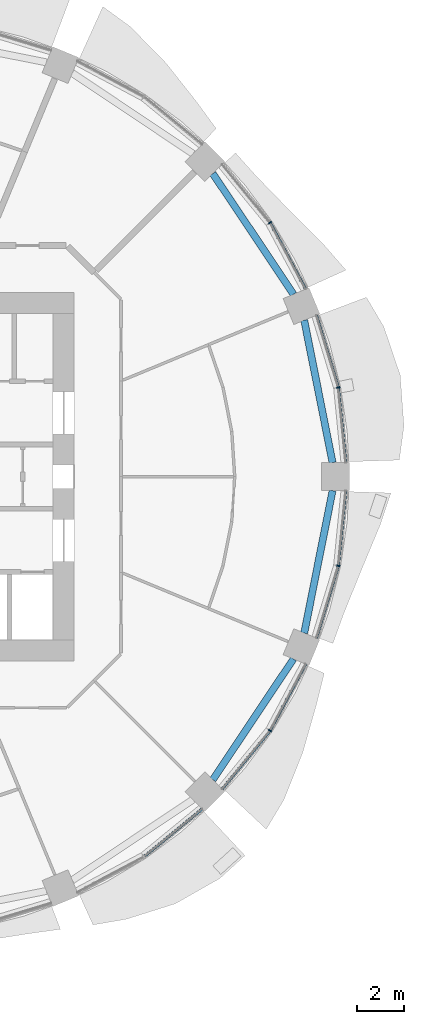
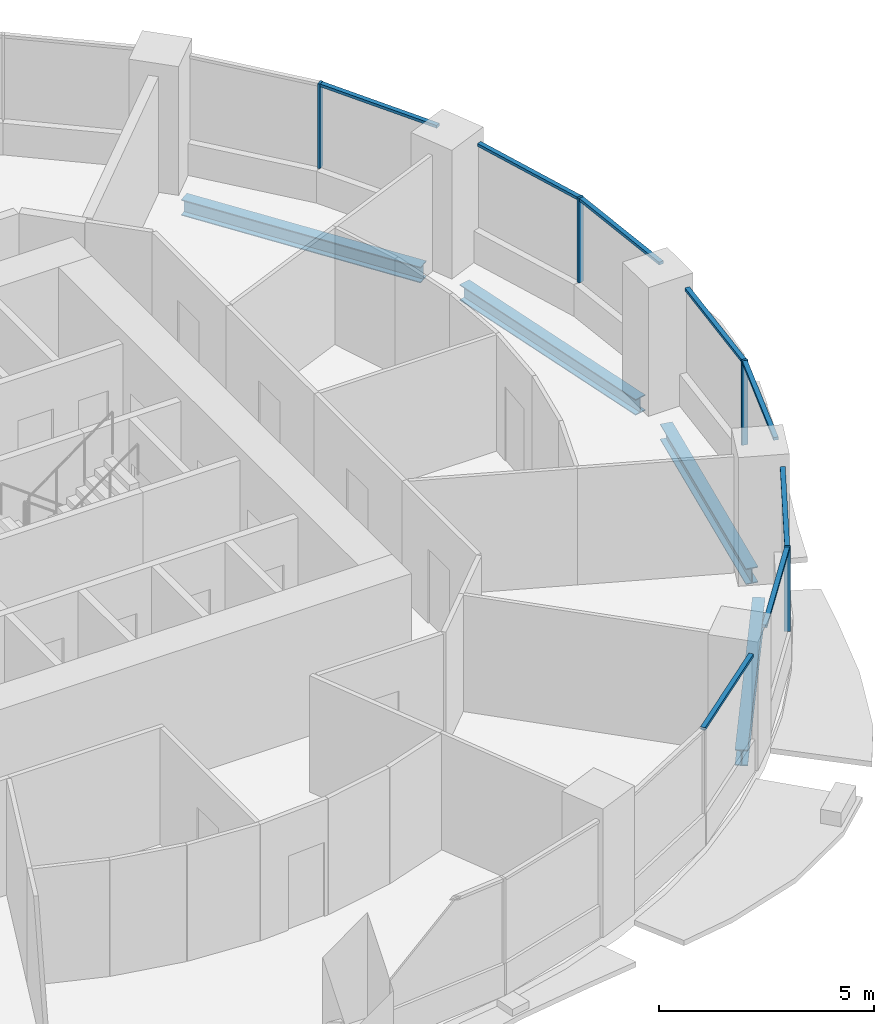
# One storey, part 5 of 15: 12 members, 4 beams, 5 elements without a shape of their own.
"""IFC4 building model written with IfcOpenShell, lengths in metres."""

from ifc_helpers import new_model, si_unit, direction, frame, origin, origin_2d, place, context, subcontext, project, spatial, rectangle, i_section, extrude, material, material_profile, profile_set, type_object, element, aggregate, save


model = new_model("IFC4")

# Units and contexts
model_context = context("Model", 3, precision=1e-05, world=origin(), true_north=direction((0.0, 1.0)))
body_context = subcontext(model_context, "Body", "Model", "MODEL_VIEW")
ifc_project = project(units=[si_unit("LENGTHUNIT", "METRE"), si_unit("AREAUNIT", "SQUARE_METRE"), si_unit("VOLUMEUNIT", "CUBIC_METRE"), si_unit("PLANEANGLEUNIT", "RADIAN"), si_unit("MASSUNIT", "GRAM", prefix="KILO")], contexts=[model_context])

# Site, building, storey
site_placement = place(None, origin())
site = spatial("IfcSite", under=ifc_project, at=site_placement, CompositionType="ELEMENT")
building_placement = place(site_placement, origin())
building = spatial("IfcBuilding", under=site, at=building_placement, Name="Polderwave Tower", CompositionType="ELEMENT")
storey_placement = place(building_placement, frame((0.0, 0.0, 51.75)))
storey = spatial("IfcBuildingStorey", under=building, at=storey_placement, Name="L13", CompositionType="ELEMENT", Elevation=51.75)

# Curtain wall, member
ifc_material_1 = material(Name="Aluminium 6063-T6 and glass", Category="aluminium")
curtain_wall_type = type_object("IfcCurtainWallType", Name="Growing floor ribbon glazing wall", PredefinedType="NOTDEFINED", material=ifc_material_1)
curtain_wall_1_placement = place(storey_placement, origin())
curtain_wall_1 = element("IfcCurtainWall", 1, at=curtain_wall_1_placement, inside=storey, type_object=curtain_wall_type, Name="CW2 L13 00", PredefinedType="NOTDEFINED")
ifc_material_2 = material(Name="Aluminium 6063-T6", Category="aluminium")
ifc_material_profile_1 = material_profile(ifc_material_2, rectangle(XDim=0.14990234375, YDim=0.06005859375, at=origin_2d()), Name="AL 60x150")
ifc_profile_set_1 = profile_set([ifc_material_profile_1], Name="Aluminium 6063-T6")
member_type_1 = type_object("IfcMemberType", Name="Growing floor ribbon glazing mullion 60x150", PredefinedType="MULLION", material=ifc_profile_set_1)
member_1_placement = place(storey_placement, frame((19.155029296875, 3.81005859375, 0.89990234375), z_axis=(0.0, 0.0, 1.0), x_axis=(-0.980773701784, -0.195148522643, 0.0)))
member_1 = element("IfcMember", 2, at=member_1_placement, type_object=member_type_1, Name="CW2 mullion 1", PredefinedType="MULLION", context=body_context, shape_type="SweptSolid", body=[
    extrude(rectangle(XDim=0.14990234375, YDim=0.06005859375, at=origin_2d()), origin(), (0.0, 0.0, 1.0), 2.400146484375),
])

curtain_wall_2_placement = place(storey_placement, origin())
curtain_wall_2 = element("IfcCurtainWall", 3, at=curtain_wall_2_placement, inside=storey, type_object=curtain_wall_type, Name="CW2 L13 01", PredefinedType="NOTDEFINED")
member_2_placement = place(storey_placement, frame((16.239013671875, 10.85009765625, 0.89990234375), z_axis=(0.0, 0.0, 1.0), x_axis=(-0.83146573367, -0.555576037759, 0.0)))
member_2 = element("IfcMember", 4, at=member_2_placement, type_object=member_type_1, Name="CW2 mullion 1", PredefinedType="MULLION", context=body_context, shape_type="SweptSolid", body=[
    extrude(rectangle(XDim=0.14990234375, YDim=0.06005859375, at=origin_2d()), origin(), (0.0, 0.0, 1.0), 2.400146484375),
])

curtain_wall_3_placement = place(storey_placement, origin())
curtain_wall_3 = element("IfcCurtainWall", 5, at=curtain_wall_3_placement, inside=storey, type_object=curtain_wall_type, Name="CW2 L13 14", PredefinedType="NOTDEFINED")
member_3_placement = place(storey_placement, frame((16.239013671875, -10.85009765625, 0.89990234375), z_axis=(0.0, 0.0, 1.0), x_axis=(-0.83146573367, 0.555576037759, 0.0)))
member_3 = element("IfcMember", 6, at=member_3_placement, type_object=member_type_1, Name="CW2 mullion 1", PredefinedType="MULLION", context=body_context, shape_type="SweptSolid", body=[
    extrude(rectangle(XDim=0.14990234375, YDim=0.06005859375, at=origin_2d()), origin(), (0.0, 0.0, 1.0), 2.400146484375),
])

curtain_wall_4_placement = place(storey_placement, origin())
curtain_wall_4 = element("IfcCurtainWall", 7, at=curtain_wall_4_placement, inside=storey, type_object=curtain_wall_type, Name="CW2 L13 15", PredefinedType="NOTDEFINED")
member_4_placement = place(storey_placement, frame((19.155029296875, -3.81005859375, 0.89990234375), z_axis=(0.0, 0.0, 1.0), x_axis=(-0.980773701784, 0.195148522643, 0.0)))
member_4 = element("IfcMember", 8, at=member_4_placement, type_object=member_type_1, Name="CW2 mullion 1", PredefinedType="MULLION", context=body_context, shape_type="SweptSolid", body=[
    extrude(rectangle(XDim=0.14990234375, YDim=0.06005859375, at=origin_2d()), origin(), (0.0, 0.0, 1.0), 2.400146484375),
])

# Member
ifc_material_profile_2 = material_profile(ifc_material_2, rectangle(XDim=0.1201171875, YDim=0.080078125, at=origin_2d()), Name="AL 80x120")
ifc_profile_set_2 = profile_set([ifc_material_profile_2], Name="Aluminium 6063-T6")
member_type_2 = type_object("IfcMemberType", Name="Growing floor ribbon glazing transom 80x120", PredefinedType="USERDEFINED", material=ifc_profile_set_2)
member_5_placement = place(storey_placement, frame((19.470947265625, 0.60009765625, 3.260009765625), z_axis=(-0.097952778777, 0.99519106363, 0.0), x_axis=(-0.99519106363, -0.097952778777, 0.0)))
member_5 = element("IfcMember", 9, at=member_5_placement, type_object=member_type_2, Name="CW2 transom 1", ObjectType="TRANSOM", PredefinedType="USERDEFINED", context=body_context, shape_type="SweptSolid", body=[
    extrude(rectangle(XDim=0.1201171875, YDim=0.080078125, at=origin_2d()), origin(), (0.0, 0.0, 1.0), 3.1953125),
])

member_6_placement = place(storey_placement, frame((19.146240234375, 3.838623046875, 3.260009765625), z_axis=(-0.290422902272, 0.95689839473, 0.0), x_axis=(-0.95689839473, -0.290422902272, 0.0)))
member_6 = element("IfcMember", 10, at=member_6_placement, type_object=member_type_2, Name="CW2 transom 2", ObjectType="TRANSOM", PredefinedType="USERDEFINED", context=body_context, shape_type="SweptSolid", body=[
    extrude(rectangle(XDim=0.1201171875, YDim=0.080078125, at=origin_2d()), origin(), (0.0, 0.0, 1.0), 3.196044921875),
])

aggregate(curtain_wall_1, [member_1, member_5, member_6])

member_7_placement = place(storey_placement, frame((17.759033203125, 8.006103515625, 3.260009765625), z_axis=(-0.471381370673, 0.881929477556, 0.0), x_axis=(-0.881929477556, -0.471381370673, 0.0)))
member_7 = element("IfcMember", 11, at=member_7_placement, type_object=member_type_2, Name="CW2 transom 1", ObjectType="TRANSOM", PredefinedType="USERDEFINED", context=body_context, shape_type="SweptSolid", body=[
    extrude(rectangle(XDim=0.1201171875, YDim=0.080078125, at=origin_2d()), origin(), (0.0, 0.0, 1.0), 3.194580078125),
])

aggregate(curtain_wall_2, [member_2, member_7])

# Curtain wall, member
curtain_wall_5_placement = place(storey_placement, origin())
curtain_wall_5 = element("IfcCurtainWall", 12, at=curtain_wall_5_placement, inside=storey, type_object=curtain_wall_type, Name="CW2 L13 13", PredefinedType="NOTDEFINED")
member_8_placement = place(storey_placement, frame((10.873291015625, -16.219970703125, 3.260009765625), z_axis=(0.772945627941, 0.63447226594, 0.0), x_axis=(-0.63447226594, 0.772945627941, 0.0)))
member_8 = element("IfcMember", 13, at=member_8_placement, type_object=member_type_2, Name="CW2 transom 2", ObjectType="TRANSOM", PredefinedType="USERDEFINED", context=body_context, shape_type="SweptSolid", body=[
    extrude(rectangle(XDim=0.1201171875, YDim=0.080078125, at=origin_2d()), origin(), (0.0, 0.0, 1.0), 3.196533203125),
])
aggregate(curtain_wall_5, [member_8])

# Member
member_9_placement = place(storey_placement, frame((14.19189453125, -13.343994140625, 3.260009765625), z_axis=(0.63447226594, 0.772945627941, 0.0), x_axis=(-0.772945627941, 0.63447226594, 0.0)))
member_9 = element("IfcMember", 14, at=member_9_placement, type_object=member_type_2, Name="CW2 transom 1", ObjectType="TRANSOM", PredefinedType="USERDEFINED", context=body_context, shape_type="SweptSolid", body=[
    extrude(rectangle(XDim=0.1201171875, YDim=0.080078125, at=origin_2d()), origin(), (0.0, 0.0, 1.0), 3.196533203125),
])

member_10_placement = place(storey_placement, frame((16.253173828125, -10.823486328125, 3.260009765625), z_axis=(0.471381370673, 0.881929477556, 0.0), x_axis=(-0.881929477556, 0.471381370673, 0.0)))
member_10 = element("IfcMember", 15, at=member_10_placement, type_object=member_type_2, Name="CW2 transom 2", ObjectType="TRANSOM", PredefinedType="USERDEFINED", context=body_context, shape_type="SweptSolid", body=[
    extrude(rectangle(XDim=0.1201171875, YDim=0.080078125, at=origin_2d()), origin(), (0.0, 0.0, 1.0), 3.194580078125),
])

aggregate(curtain_wall_3, [member_3, member_9, member_10])

member_11_placement = place(storey_placement, frame((18.218017578125, -6.89697265625, 3.260009765625), z_axis=(0.290422902272, 0.95689839473, 0.0), x_axis=(-0.95689839473, 0.290422902272, 0.0)))
member_11 = element("IfcMember", 16, at=member_11_placement, type_object=member_type_2, Name="CW2 transom 1", ObjectType="TRANSOM", PredefinedType="USERDEFINED", context=body_context, shape_type="SweptSolid", body=[
    extrude(rectangle(XDim=0.1201171875, YDim=0.080078125, at=origin_2d()), origin(), (0.0, 0.0, 1.0), 3.196044921875),
])

member_12_placement = place(storey_placement, frame((19.157958984375, -3.780029296875, 3.260009765625), z_axis=(0.097952778777, 0.99519106363, 0.0), x_axis=(-0.99519106363, 0.097952778777, 0.0)))
member_12 = element("IfcMember", 17, at=member_12_placement, type_object=member_type_2, Name="CW2 transom 2", ObjectType="TRANSOM", PredefinedType="USERDEFINED", context=body_context, shape_type="SweptSolid", body=[
    extrude(rectangle(XDim=0.1201171875, YDim=0.080078125, at=origin_2d()), origin(), (0.0, 0.0, 1.0), 3.1953125),
])

aggregate(curtain_wall_4, [member_4, member_11, member_12])

# Beams
ifc_material_3 = material(Name="Steel S355", Category="steel")
ifc_material_profile_3 = material_profile(ifc_material_3, i_section(OverallWidth=0.300048828125, OverallDepth=0.449951171875, WebThickness=0.013916015625, FlangeThickness=0.02587890625, at=origin_2d()), Name="HE 450 B")
ifc_profile_set_3 = profile_set([ifc_material_profile_3], Name="Steel S355")
beam_type = type_object("IfcBeamType", Name="RING BEAM HE 450 B", PredefinedType="BEAM", material=ifc_profile_set_3)
beam_1_placement = place(storey_placement, frame((18.91064453125, 0.60009765625, -0.574951171875), z_axis=(-0.195109112701, 0.980781542517, 0.0), x_axis=(-0.980781542517, -0.195109112701, 0.0)))
element("IfcBeam", 18, at=beam_1_placement, inside=storey, type_object=beam_type, Name="ST-RB-L13-00", PredefinedType="BEAM", context=body_context, shape_type="SweptSolid", body=[
    extrude(i_section(OverallWidth=0.300048828125, OverallDepth=0.449951171875, WebThickness=0.013916015625, FlangeThickness=0.02587890625, at=origin_2d()), origin(), (0.0, 0.0, 1.0), 6.201416015625),
])
for number, where, z_axis, x_axis, name in (
    (19, (17.241455078125, 7.791015625, -0.574951171875), (-0.555553875554, 0.831480541779, 0.0), (-0.831480541779, -0.555553875554, 0.0), "ST-RB-L13-01"),
    (20, (13.796142578125, -12.947509765625, -0.574951171875), (0.555553875554, 0.831480541779, 0.0), (-0.831480541779, 0.555553875554, 0.0), "ST-RB-L13-14"),
):
    element("IfcBeam", number, at=place(storey_placement, frame(where, z_axis=z_axis, x_axis=x_axis)), inside=storey, type_object=beam_type, Name=name, PredefinedType="BEAM", context=body_context, shape_type="SweptSolid", body=[
        extrude(i_section(OverallWidth=0.300048828125, OverallDepth=0.449951171875, WebThickness=0.013916015625, FlangeThickness=0.02587890625, at=origin_2d()), origin(), (0.0, 0.0, 1.0), 6.20166015625),
    ])
beam_2_placement = place(storey_placement, frame((17.70068359375, -6.682373046875, -0.574951171875), z_axis=(0.195109112701, 0.980781542517, 0.0), x_axis=(-0.980781542517, 0.195109112701, 0.0)))
element("IfcBeam", 21, at=beam_2_placement, inside=storey, type_object=beam_type, Name="ST-RB-L13-15", PredefinedType="BEAM", context=body_context, shape_type="SweptSolid", body=[
    extrude(i_section(OverallWidth=0.300048828125, OverallDepth=0.449951171875, WebThickness=0.013916015625, FlangeThickness=0.02587890625, at=origin_2d()), origin(), (0.0, 0.0, 1.0), 6.201416015625),
])

save(model, "model.ifc")
